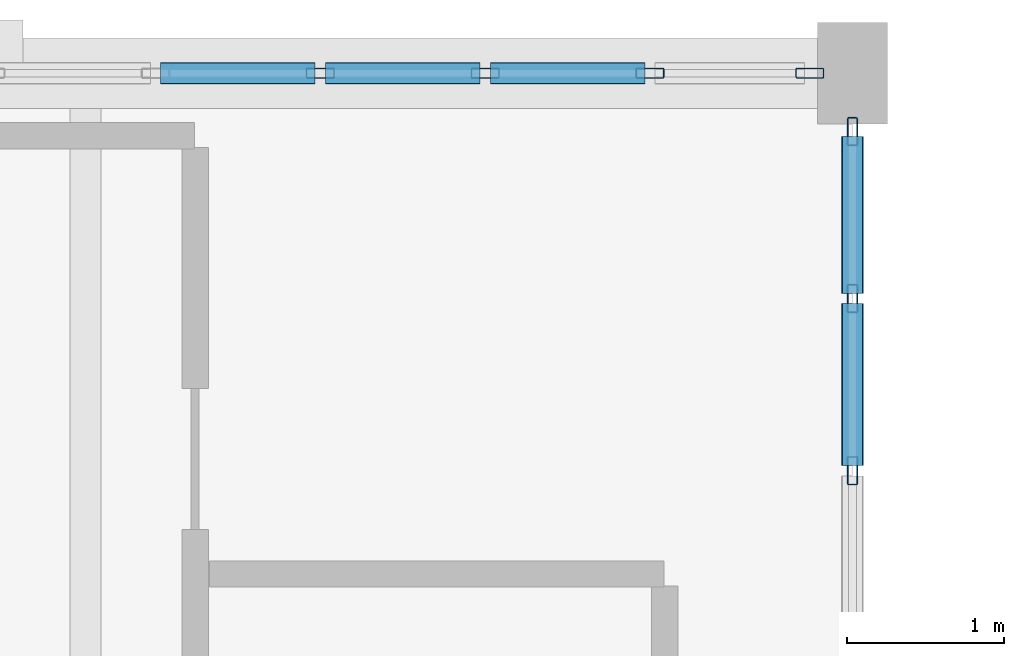
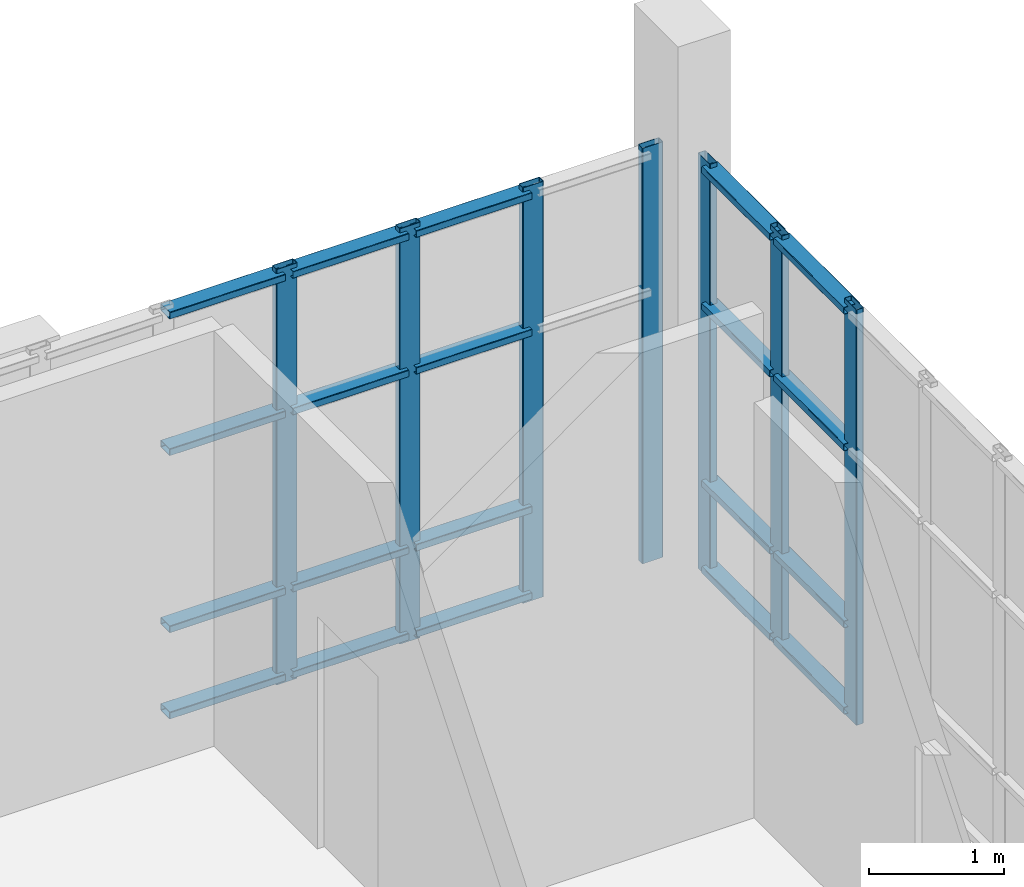
# One storey, part 62 of 106: 27 members, 2 elements without a shape of their own.
"""IFC4 building model written with IfcOpenShell, lengths in metres."""

import ifcopenshell
import ifcopenshell.guid

model = None  # the IFC model being written
_history = None  # IfcOwnerHistory: only IFC2X3 demands one
_inside = {}  # id of a spatial element -> (the spatial element, [elements in it])
_under = {}  # id of a project, library or spatial element -> (it, [spatial elements below it])
_declared = {}  # id of a project -> (the project, [libraries it declares])
_typed = {}  # id of a type object -> (the type object, [elements of that type])
_made_of = {}  # id of a material, layer set ... -> (it, [elements and type objects made of it])


def new_model(schema):
    """Start an empty IFC model of exactly this schema.

    Asked for "IFC4X3", IfcOpenShell would pick the latest addendum, in which some entities
    have other attributes; the version numbers below select the first issue.
    IFC2X3 requires an IfcOwnerHistory on every rooted entity: one is made here for all.
    """
    global model, _history
    if schema == "IFC4X3":
        model = ifcopenshell.file(schema_version=(4, 3, 0, 0))
    else:
        model = ifcopenshell.file(schema=schema)
    _inside.clear()
    _under.clear()
    _declared.clear()
    _typed.clear()
    _made_of.clear()
    _history = None
    if model.schema == "IFC2X3":
        org = make("IfcOrganization", Name="unknown")
        user = make(
            "IfcPersonAndOrganization",
            ThePerson=make("IfcPerson", FamilyName="unknown"),
            TheOrganization=org,
        )
        app = make(
            "IfcApplication",
            ApplicationDeveloper=org,
            Version="unknown",
            ApplicationFullName="unknown",
            ApplicationIdentifier="unknown",
        )
        _history = make(
            "IfcOwnerHistory",
            OwningUser=user,
            OwningApplication=app,
            ChangeAction="ADDED",
            CreationDate=0,
        )
    return model


def make(cls, **values):
    """One entity of the class cls with the attributes given. An attribute that is None is left unset."""
    return model.create_entity(
        cls, **{name: value for name, value in values.items() if value is not None}
    )


def rooted(cls, **values):
    """An entity with a GlobalId (a new one), such as an element, a storey or a relation."""
    return make(cls, GlobalId=ifcopenshell.guid.new(), OwnerHistory=_history, **values)


def si_unit(unit_type, name, prefix=None):
    """IfcSIUnit, for example si_unit("LENGTHUNIT", "METRE", prefix="MILLI")."""
    return make("IfcSIUnit", UnitType=unit_type, Prefix=prefix, Name=name)


def assignment(units):
    """IfcUnitAssignment: the units of a project."""
    return None if units is None else make("IfcUnitAssignment", Units=units)


def point(xyz):
    """IfcCartesianPoint."""
    return None if xyz is None else make("IfcCartesianPoint", Coordinates=xyz)


def direction(xyz):
    """IfcDirection."""
    return None if xyz is None else make("IfcDirection", DirectionRatios=xyz)


def frame(location, z_axis=None, x_axis=None):
    """IfcAxis2Placement3D, a coordinate frame: its origin and axes. An axis left out is left unset."""
    return make(
        "IfcAxis2Placement3D",
        Location=point(location),
        Axis=direction(z_axis),
        RefDirection=direction(x_axis),
    )


def frame_2d(location, x_axis=None):
    """IfcAxis2Placement2D, a coordinate frame in the plane: its origin and x axis."""
    return make(
        "IfcAxis2Placement2D", Location=point(location), RefDirection=direction(x_axis)
    )


def origin():
    """The frame at (0, 0, 0) with its axes left unset."""
    return frame((0.0, 0.0, 0.0))


def origin_2d():
    """The frame at (0, 0) in the plane with its x axis left unset."""
    return frame_2d((0.0, 0.0))


def place(relative_to, where):
    """IfcLocalPlacement: puts the frame where relative to a parent placement (None: the world)."""
    return make(
        "IfcLocalPlacement", PlacementRelTo=relative_to, RelativePlacement=where
    )


def context(
    kind, dimensions, precision=None, world=None, true_north=None, identifier=None
):
    """IfcGeometricRepresentationContext, for example the 3D "Model" context."""
    return make(
        "IfcGeometricRepresentationContext",
        ContextIdentifier=identifier,
        ContextType=kind,
        CoordinateSpaceDimension=dimensions,
        Precision=precision,
        WorldCoordinateSystem=world,
        TrueNorth=true_north,
    )


def subcontext(parent, identifier, kind, view, scale=None):
    """IfcGeometricRepresentationSubContext, for example "Body" below "Model"."""
    return make(
        "IfcGeometricRepresentationSubContext",
        ContextIdentifier=identifier,
        ContextType=kind,
        ParentContext=parent,
        TargetScale=scale,
        TargetView=view,
    )


def project(units=None, contexts=None):
    """IfcProject with its units and contexts."""
    return rooted(
        "IfcProject",
        Name="project",
        RepresentationContexts=contexts,
        UnitsInContext=assignment(units),
    )


def spatial(cls, under=None, at=None, **own):
    """A site, building, storey or space (cls), placed at a placement, below another one or the project."""
    s = rooted(cls, ObjectPlacement=at, **own)
    if under is not None:
        _under.setdefault(under.id(), (under, []))[1].append(s)
    return s


def profile(cls, at=None, kind="AREA", **sizes):
    """A parametric profile (cls). Its sizes go by their IFC names, for example OverallWidth=200.0."""
    return make(cls, ProfileType=kind, Position=at, **sizes)


def hollow_rectangle(**sizes):
    """IfcRectangleHollowProfileDef."""
    return profile("IfcRectangleHollowProfileDef", **sizes)


def extrude(swept, where, along, depth):
    """IfcExtrudedAreaSolid: the profile swept, set in the frame where, extruded along a direction by depth."""
    return make(
        "IfcExtrudedAreaSolid",
        SweptArea=swept,
        Position=where,
        ExtrudedDirection=direction(along),
        Depth=depth,
    )


def shape(context_of_items, identifier, shape_type, items):
    """IfcShapeRepresentation: the items that make up one representation, for example the "Body"."""
    return make(
        "IfcShapeRepresentation",
        ContextOfItems=context_of_items,
        RepresentationIdentifier=identifier,
        RepresentationType=shape_type,
        Items=items,
    )


def material(Name=None, Category=None):
    """IfcMaterial."""
    return make("IfcMaterial", Name=Name, Category=Category)


def layer(
    of_material, thickness, ventilated=None, Name=None, Category=None, Priority=None
):
    """IfcMaterialLayer: one layer of a wall or slab, of a material (None: an air gap)."""
    return make(
        "IfcMaterialLayer",
        Material=of_material,
        LayerThickness=thickness,
        IsVentilated=ventilated,
        Name=Name,
        Category=Category,
        Priority=Priority,
    )


def layer_set(layers, Name=None):
    """IfcMaterialLayerSet."""
    return make("IfcMaterialLayerSet", MaterialLayers=layers, LayerSetName=Name)


def material_profile(
    of_material, cross_section, Name=None, Category=None, Priority=None
):
    """IfcMaterialProfile: a cross section and its material."""
    return make(
        "IfcMaterialProfile",
        Name=Name,
        Material=of_material,
        Profile=cross_section,
        Priority=Priority,
        Category=Category,
    )


def profile_set(profiles, Name=None, composite=None):
    """IfcMaterialProfileSet."""
    return make(
        "IfcMaterialProfileSet",
        Name=Name,
        MaterialProfiles=profiles,
        CompositeProfile=composite,
    )


def made_of(thing, what):
    """Note that an element or type object is made of a material, layer set ...; save() writes the relation."""
    if what is not None:
        _made_of.setdefault(what.id(), (what, []))[1].append(thing)
    return thing


def type_object(cls, material=None, **own):
    """A type object (cls), such as IfcWallType, which elements share."""
    return made_of(rooted(cls, **own), material)


def element(
    cls,
    number,
    at=None,
    inside=None,
    cuts=None,
    type_object=None,
    material=None,
    context=None,
    identifier="Body",
    shape_type=None,
    held_by="IfcProductDefinitionShape",
    body=None,
    shapes=None,
    **own,
):
    """One element of the class cls, such as IfcWall. Its Tag is "e" and its number.

    at: its placement. inside: the storey or other place that contains it. cuts: it is an
    opening in that element (IfcRelVoidsElement). A single representation is given by context,
    identifier, shape_type and body (its items); several are given by shapes. held_by: the class
    of the entity that holds the representations. save() writes the other relations.
    """
    e = rooted(cls, Tag="e%d" % number, ObjectPlacement=at, **own)
    if body is not None:
        shapes = [shape(context, identifier, shape_type, body)]
    if shapes is not None:
        e.Representation = make(held_by, Representations=shapes)
    if inside is not None:
        _inside.setdefault(inside.id(), (inside, []))[1].append(e)
    if cuts is not None:
        rooted(
            "IfcRelVoidsElement", RelatingBuildingElement=cuts, RelatedOpeningElement=e
        )
    if type_object is not None:
        _typed.setdefault(type_object.id(), (type_object, []))[1].append(e)
    return made_of(e, material)


def aggregate(whole, parts):
    """IfcRelAggregates: a whole, such as a stair, and the parts it consists of."""
    return rooted("IfcRelAggregates", RelatingObject=whole, RelatedObjects=parts)


def save(model, path):
    """Write the relations noted so far, then the file.

    IfcRelAggregates (storeys below a building ...), IfcRelContainedInSpatialStructure (elements
    in a storey), IfcRelDefinesByType, IfcRelAssociatesMaterial and IfcRelDeclares: one each for
    every whole, place, type object, material and project.
    """
    for whole, parts in _under.values():
        aggregate(whole, parts)
    for where, things in _inside.values():
        rooted(
            "IfcRelContainedInSpatialStructure",
            RelatedElements=things,
            RelatingStructure=where,
        )
    for kind, things in _typed.values():
        rooted("IfcRelDefinesByType", RelatedObjects=things, RelatingType=kind)
    for what, things in _made_of.values():
        rooted("IfcRelAssociatesMaterial", RelatedObjects=things, RelatingMaterial=what)
    for by, libraries in _declared.values():
        rooted("IfcRelDeclares", RelatingContext=by, RelatedDefinitions=libraries)
    model.write(path)


model = new_model("IFC4")

# Units and contexts
model_context = context("Model", 3, precision=1e-05, world=origin(), true_north=direction((0.0, 1.0)))
body_context = subcontext(model_context, "Body", "Model", "MODEL_VIEW")
ifc_project = project(units=[si_unit("LENGTHUNIT", "METRE"), si_unit("AREAUNIT", "SQUARE_METRE"), si_unit("VOLUMEUNIT", "CUBIC_METRE"), si_unit("PLANEANGLEUNIT", "RADIAN"), si_unit("MASSUNIT", "GRAM", prefix="KILO")], contexts=[model_context])

# Site, building, storey
site_placement = place(None, origin())
site = spatial("IfcSite", under=ifc_project, at=site_placement, CompositionType="ELEMENT")
building_placement = place(site_placement, origin())
building = spatial("IfcBuilding", under=site, at=building_placement, Name="Kisaragi Civic Commons", CompositionType="ELEMENT")
storey_placement = place(building_placement, frame((0.0, 0.0, 4.800048828125)))
storey = spatial("IfcBuildingStorey", under=building, at=storey_placement, Name="L01", CompositionType="ELEMENT", Elevation=4.800048828125)

# Curtain wall, members
ifc_material = material(Name="Thermally broken anodized aluminium and low-E double glazing", Category="aluminium")
ifc_layer = layer(ifc_material, 0.179931640625, Name="Thermally broken anodized aluminium and low-E double glazing", Category="aluminium")
ifc_layer_set = layer_set([ifc_layer], Name="Thermally broken anodized aluminium and low-E double glazing")
curtain_wall_type = type_object("IfcCurtainWallType", Name="CW-01", PredefinedType="NOTDEFINED", material=ifc_layer_set)
curtain_wall_1_placement = place(storey_placement, origin())
curtain_wall_1 = element("IfcCurtainWall", 1, at=curtain_wall_1_placement, inside=storey, type_object=curtain_wall_type, Name="L01 curtain wall CW-01 CW-V4-L01-070", PredefinedType="NOTDEFINED")
ifc_material_profile_1 = material_profile(ifc_material, hollow_rectangle(XDim=0.06494140625, YDim=0.179931640625, WallThickness=0.00439453125, InnerFilletRadius=0.00439453125, OuterFilletRadius=0.009033203125, at=origin_2d()), Name="CWM-65x180x4.5", Category="aluminium")
ifc_profile_set_1 = profile_set([ifc_material_profile_1], Name="Thermally broken anodized aluminium and low-E double glazing")
member_type_1 = type_object("IfcMemberType", Name="CWM-02", PredefinedType="MULLION", material=ifc_profile_set_1)
member_1_placement = place(storey_placement, frame((156.199951171875, 118.800048828125, 0.0), z_axis=(0.0, 0.0, 1.0), x_axis=(0.0, 1.0, 0.0)))
member_1 = element("IfcMember", 2, at=member_1_placement, type_object=member_type_1, Name="CW-01 mullion 4", PredefinedType="MULLION", context=body_context, shape_type="SweptSolid", body=[
    extrude(hollow_rectangle(XDim=0.06494140625, YDim=0.179931640625, WallThickness=0.00439453125, InnerFilletRadius=0.00439453125, OuterFilletRadius=0.009033203125, at=origin_2d()), origin(), (0.0, 0.0, 1.0), 3.7548828125),
])
member_2_placement = place(storey_placement, frame((157.25341796875, 118.800048828125, 0.0), z_axis=(0.0, 0.0, 1.0), x_axis=(0.0, 1.0, 0.0)))
member_2 = element("IfcMember", 3, at=member_2_placement, type_object=member_type_1, Name="CW-01 mullion 5", PredefinedType="MULLION", context=body_context, shape_type="SweptSolid", body=[
    extrude(hollow_rectangle(XDim=0.06494140625, YDim=0.179931640625, WallThickness=0.00439453125, InnerFilletRadius=0.00439453125, OuterFilletRadius=0.009033203125, at=origin_2d()), origin(), (0.0, 0.0, 1.0), 3.7548828125),
])
member_3_placement = place(storey_placement, frame((158.306640625, 118.800048828125, 0.0), z_axis=(0.0, 0.0, 1.0), x_axis=(0.0, 1.0, 0.0)))
member_3 = element("IfcMember", 4, at=member_3_placement, type_object=member_type_1, Name="CW-01 mullion 6", PredefinedType="MULLION", context=body_context, shape_type="SweptSolid", body=[
    extrude(hollow_rectangle(XDim=0.06494140625, YDim=0.179931640625, WallThickness=0.00439453125, InnerFilletRadius=0.00439453125, OuterFilletRadius=0.009033203125, at=origin_2d()), origin(), (0.0, 0.0, 1.0), 3.7548828125),
])
member_4_placement = place(storey_placement, frame((159.327392578125, 118.800048828125, 0.0), z_axis=(0.0, 0.0, 1.0), x_axis=(0.0, 1.0, 0.0)))
member_4 = element("IfcMember", 5, at=member_4_placement, type_object=member_type_1, Name="CW-01 mullion 7", PredefinedType="MULLION", context=body_context, shape_type="SweptSolid", body=[
    extrude(hollow_rectangle(XDim=0.06494140625, YDim=0.179931640625, WallThickness=0.00439453125, InnerFilletRadius=0.00439453125, OuterFilletRadius=0.009033203125, at=origin_2d()), origin(), (0.0, 0.0, 1.0), 3.7548828125),
])

curtain_wall_2_placement = place(storey_placement, origin())
curtain_wall_2 = element("IfcCurtainWall", 6, at=curtain_wall_2_placement, inside=storey, type_object=curtain_wall_type, Name="L01 curtain wall CW-01 CW-V4-L01-071", PredefinedType="NOTDEFINED")
member_5_placement = place(storey_placement, frame((159.60009765625, 118.427490234375, 0.0), z_axis=(0.0, 0.0, 1.0), x_axis=(1.0, 0.0, 0.0)))
member_5 = element("IfcMember", 7, at=member_5_placement, type_object=member_type_1, Name="CW-01 mullion 1", PredefinedType="MULLION", context=body_context, shape_type="SweptSolid", body=[
    extrude(hollow_rectangle(XDim=0.06494140625, YDim=0.179931640625, WallThickness=0.00439453125, InnerFilletRadius=0.00439453125, OuterFilletRadius=0.009033203125, at=origin_2d()), origin(), (0.0, 0.0, 1.0), 3.7548828125),
])
member_6_placement = place(storey_placement, frame((159.60009765625, 117.360107421875, 0.0), z_axis=(0.0, 0.0, 1.0), x_axis=(1.0, 0.0, 0.0)))
member_6 = element("IfcMember", 8, at=member_6_placement, type_object=member_type_1, Name="CW-01 mullion 2", PredefinedType="MULLION", context=body_context, shape_type="SweptSolid", body=[
    extrude(hollow_rectangle(XDim=0.06494140625, YDim=0.179931640625, WallThickness=0.00439453125, InnerFilletRadius=0.00439453125, OuterFilletRadius=0.009033203125, at=origin_2d()), origin(), (0.0, 0.0, 1.0), 3.7548828125),
])
member_7_placement = place(storey_placement, frame((159.60009765625, 116.260009765625, 0.0), z_axis=(0.0, 0.0, 1.0), x_axis=(1.0, 0.0, 0.0)))
member_7 = element("IfcMember", 9, at=member_7_placement, type_object=member_type_1, Name="CW-01 mullion 3", PredefinedType="MULLION", context=body_context, shape_type="SweptSolid", body=[
    extrude(hollow_rectangle(XDim=0.06494140625, YDim=0.179931640625, WallThickness=0.00439453125, InnerFilletRadius=0.00439453125, OuterFilletRadius=0.009033203125, at=origin_2d()), origin(), (0.0, 0.0, 1.0), 3.7548828125),
])

# Member
ifc_material_profile_2 = material_profile(ifc_material, hollow_rectangle(XDim=0.139892578125, YDim=0.06494140625, WallThickness=0.00439453125, InnerFilletRadius=0.00439453125, OuterFilletRadius=0.009033203125, at=origin_2d()), Name="CWT-65x140x4.5", Category="aluminium")
ifc_profile_set_2 = profile_set([ifc_material_profile_2], Name="Thermally broken anodized aluminium and low-E double glazing")
member_type_2 = type_object("IfcMemberType", Name="CWT-02", PredefinedType="USERDEFINED", material=ifc_profile_set_2)
member_8_placement = place(storey_placement, frame((155.17919921875, 118.800048828125, 0.070068359375), z_axis=(1.0, 0.0, 0.0), x_axis=(0.0, 1.0, 0.0)))
member_8 = element("IfcMember", 10, at=member_8_placement, type_object=member_type_2, Name="CW-01 transom 3.1", ObjectType="TRANSOM", PredefinedType="USERDEFINED", context=body_context, shape_type="SweptSolid", body=[
    extrude(hollow_rectangle(XDim=0.139892578125, YDim=0.06494140625, WallThickness=0.00439453125, InnerFilletRadius=0.00439453125, OuterFilletRadius=0.009033203125, at=origin_2d()), origin(), (0.0, 0.0, 1.0), 0.98828125),
])

member_9_placement = place(storey_placement, frame((155.17919921875, 118.800048828125, 0.849853515625), z_axis=(1.0, 0.0, 0.0), x_axis=(0.0, 1.0, 0.0)))
member_9 = element("IfcMember", 11, at=member_9_placement, type_object=member_type_2, Name="CW-01 transom 3.2", ObjectType="TRANSOM", PredefinedType="USERDEFINED", context=body_context, shape_type="SweptSolid", body=[
    extrude(hollow_rectangle(XDim=0.139892578125, YDim=0.06494140625, WallThickness=0.00439453125, InnerFilletRadius=0.00439453125, OuterFilletRadius=0.009033203125, at=origin_2d()), origin(), (0.0, 0.0, 1.0), 0.98828125),
])

member_10_placement = place(storey_placement, frame((155.17919921875, 118.800048828125, 2.449951171875), z_axis=(1.0, 0.0, 0.0), x_axis=(0.0, 1.0, 0.0)))
member_10 = element("IfcMember", 12, at=member_10_placement, type_object=member_type_2, Name="CW-01 transom 3.3", ObjectType="TRANSOM", PredefinedType="USERDEFINED", context=body_context, shape_type="SweptSolid", body=[
    extrude(hollow_rectangle(XDim=0.139892578125, YDim=0.06494140625, WallThickness=0.00439453125, InnerFilletRadius=0.00439453125, OuterFilletRadius=0.009033203125, at=origin_2d()), origin(), (0.0, 0.0, 1.0), 0.98828125),
])

member_11_placement = place(storey_placement, frame((155.17919921875, 118.800048828125, 3.68505859375), z_axis=(1.0, 0.0, 0.0), x_axis=(0.0, 1.0, 0.0)))
member_11 = element("IfcMember", 13, at=member_11_placement, type_object=member_type_2, Name="CW-01 transom 3.4", ObjectType="TRANSOM", PredefinedType="USERDEFINED", context=body_context, shape_type="SweptSolid", body=[
    extrude(hollow_rectangle(XDim=0.139892578125, YDim=0.06494140625, WallThickness=0.00439453125, InnerFilletRadius=0.00439453125, OuterFilletRadius=0.009033203125, at=origin_2d()), origin(), (0.0, 0.0, 1.0), 0.98828125),
])

member_12_placement = place(storey_placement, frame((156.232421875, 118.800048828125, 0.070068359375), z_axis=(1.0, 0.0, 0.0), x_axis=(0.0, 1.0, 0.0)))
member_12 = element("IfcMember", 14, at=member_12_placement, type_object=member_type_2, Name="CW-01 transom 4.1", ObjectType="TRANSOM", PredefinedType="USERDEFINED", context=body_context, shape_type="SweptSolid", body=[
    extrude(hollow_rectangle(XDim=0.139892578125, YDim=0.06494140625, WallThickness=0.00439453125, InnerFilletRadius=0.00439453125, OuterFilletRadius=0.009033203125, at=origin_2d()), origin(), (0.0, 0.0, 1.0), 0.988525390625),
])

member_13_placement = place(storey_placement, frame((156.232421875, 118.800048828125, 0.849853515625), z_axis=(1.0, 0.0, 0.0), x_axis=(0.0, 1.0, 0.0)))
member_13 = element("IfcMember", 15, at=member_13_placement, type_object=member_type_2, Name="CW-01 transom 4.2", ObjectType="TRANSOM", PredefinedType="USERDEFINED", context=body_context, shape_type="SweptSolid", body=[
    extrude(hollow_rectangle(XDim=0.139892578125, YDim=0.06494140625, WallThickness=0.00439453125, InnerFilletRadius=0.00439453125, OuterFilletRadius=0.009033203125, at=origin_2d()), origin(), (0.0, 0.0, 1.0), 0.988525390625),
])

member_14_placement = place(storey_placement, frame((156.232421875, 118.800048828125, 2.449951171875), z_axis=(1.0, 0.0, 0.0), x_axis=(0.0, 1.0, 0.0)))
member_14 = element("IfcMember", 16, at=member_14_placement, type_object=member_type_2, Name="CW-01 transom 4.3", ObjectType="TRANSOM", PredefinedType="USERDEFINED", context=body_context, shape_type="SweptSolid", body=[
    extrude(hollow_rectangle(XDim=0.139892578125, YDim=0.06494140625, WallThickness=0.00439453125, InnerFilletRadius=0.00439453125, OuterFilletRadius=0.009033203125, at=origin_2d()), origin(), (0.0, 0.0, 1.0), 0.988525390625),
])

member_15_placement = place(storey_placement, frame((156.232421875, 118.800048828125, 3.68505859375), z_axis=(1.0, 0.0, 0.0), x_axis=(0.0, 1.0, 0.0)))
member_15 = element("IfcMember", 17, at=member_15_placement, type_object=member_type_2, Name="CW-01 transom 4.4", ObjectType="TRANSOM", PredefinedType="USERDEFINED", context=body_context, shape_type="SweptSolid", body=[
    extrude(hollow_rectangle(XDim=0.139892578125, YDim=0.06494140625, WallThickness=0.00439453125, InnerFilletRadius=0.00439453125, OuterFilletRadius=0.009033203125, at=origin_2d()), origin(), (0.0, 0.0, 1.0), 0.988525390625),
])

member_16_placement = place(storey_placement, frame((157.285888671875, 118.800048828125, 0.070068359375), z_axis=(1.0, 0.0, 0.0), x_axis=(0.0, 1.0, 0.0)))
member_16 = element("IfcMember", 18, at=member_16_placement, type_object=member_type_2, Name="CW-01 transom 5.1", ObjectType="TRANSOM", PredefinedType="USERDEFINED", context=body_context, shape_type="SweptSolid", body=[
    extrude(hollow_rectangle(XDim=0.139892578125, YDim=0.06494140625, WallThickness=0.00439453125, InnerFilletRadius=0.00439453125, OuterFilletRadius=0.009033203125, at=origin_2d()), origin(), (0.0, 0.0, 1.0), 0.98828125),
])

member_17_placement = place(storey_placement, frame((157.285888671875, 118.800048828125, 0.849853515625), z_axis=(1.0, 0.0, 0.0), x_axis=(0.0, 1.0, 0.0)))
member_17 = element("IfcMember", 19, at=member_17_placement, type_object=member_type_2, Name="CW-01 transom 5.2", ObjectType="TRANSOM", PredefinedType="USERDEFINED", context=body_context, shape_type="SweptSolid", body=[
    extrude(hollow_rectangle(XDim=0.139892578125, YDim=0.06494140625, WallThickness=0.00439453125, InnerFilletRadius=0.00439453125, OuterFilletRadius=0.009033203125, at=origin_2d()), origin(), (0.0, 0.0, 1.0), 0.98828125),
])

member_18_placement = place(storey_placement, frame((157.285888671875, 118.800048828125, 2.449951171875), z_axis=(1.0, 0.0, 0.0), x_axis=(0.0, 1.0, 0.0)))
member_18 = element("IfcMember", 20, at=member_18_placement, type_object=member_type_2, Name="CW-01 transom 5.3", ObjectType="TRANSOM", PredefinedType="USERDEFINED", context=body_context, shape_type="SweptSolid", body=[
    extrude(hollow_rectangle(XDim=0.139892578125, YDim=0.06494140625, WallThickness=0.00439453125, InnerFilletRadius=0.00439453125, OuterFilletRadius=0.009033203125, at=origin_2d()), origin(), (0.0, 0.0, 1.0), 0.98828125),
])

member_19_placement = place(storey_placement, frame((157.285888671875, 118.800048828125, 3.68505859375), z_axis=(1.0, 0.0, 0.0), x_axis=(0.0, 1.0, 0.0)))
member_19 = element("IfcMember", 21, at=member_19_placement, type_object=member_type_2, Name="CW-01 transom 5.4", ObjectType="TRANSOM", PredefinedType="USERDEFINED", context=body_context, shape_type="SweptSolid", body=[
    extrude(hollow_rectangle(XDim=0.139892578125, YDim=0.06494140625, WallThickness=0.00439453125, InnerFilletRadius=0.00439453125, OuterFilletRadius=0.009033203125, at=origin_2d()), origin(), (0.0, 0.0, 1.0), 0.98828125),
])

aggregate(curtain_wall_1, [member_1, member_2, member_3, member_4, member_8, member_9, member_10, member_11, member_12, member_13, member_14, member_15, member_16, member_17, member_18, member_19])

member_20_placement = place(storey_placement, frame((159.60009765625, 118.39501953125, 0.070068359375), z_axis=(0.0, -1.0, 0.0), x_axis=(1.0, 0.0, 0.0)))
member_20 = element("IfcMember", 22, at=member_20_placement, type_object=member_type_2, Name="CW-01 transom 1.1", ObjectType="TRANSOM", PredefinedType="USERDEFINED", context=body_context, shape_type="SweptSolid", body=[
    extrude(hollow_rectangle(XDim=0.139892578125, YDim=0.06494140625, WallThickness=0.00439453125, InnerFilletRadius=0.00439453125, OuterFilletRadius=0.009033203125, at=origin_2d()), origin(), (0.0, 0.0, 1.0), 1.00244140625),
])

member_21_placement = place(storey_placement, frame((159.60009765625, 118.39501953125, 0.849853515625), z_axis=(0.0, -1.0, 0.0), x_axis=(1.0, 0.0, 0.0)))
member_21 = element("IfcMember", 23, at=member_21_placement, type_object=member_type_2, Name="CW-01 transom 1.2", ObjectType="TRANSOM", PredefinedType="USERDEFINED", context=body_context, shape_type="SweptSolid", body=[
    extrude(hollow_rectangle(XDim=0.139892578125, YDim=0.06494140625, WallThickness=0.00439453125, InnerFilletRadius=0.00439453125, OuterFilletRadius=0.009033203125, at=origin_2d()), origin(), (0.0, 0.0, 1.0), 1.00244140625),
])

member_22_placement = place(storey_placement, frame((159.60009765625, 118.39501953125, 2.449951171875), z_axis=(0.0, -1.0, 0.0), x_axis=(1.0, 0.0, 0.0)))
member_22 = element("IfcMember", 24, at=member_22_placement, type_object=member_type_2, Name="CW-01 transom 1.3", ObjectType="TRANSOM", PredefinedType="USERDEFINED", context=body_context, shape_type="SweptSolid", body=[
    extrude(hollow_rectangle(XDim=0.139892578125, YDim=0.06494140625, WallThickness=0.00439453125, InnerFilletRadius=0.00439453125, OuterFilletRadius=0.009033203125, at=origin_2d()), origin(), (0.0, 0.0, 1.0), 1.00244140625),
])

member_23_placement = place(storey_placement, frame((159.60009765625, 118.39501953125, 3.68505859375), z_axis=(0.0, -1.0, 0.0), x_axis=(1.0, 0.0, 0.0)))
member_23 = element("IfcMember", 25, at=member_23_placement, type_object=member_type_2, Name="CW-01 transom 1.4", ObjectType="TRANSOM", PredefinedType="USERDEFINED", context=body_context, shape_type="SweptSolid", body=[
    extrude(hollow_rectangle(XDim=0.139892578125, YDim=0.06494140625, WallThickness=0.00439453125, InnerFilletRadius=0.00439453125, OuterFilletRadius=0.009033203125, at=origin_2d()), origin(), (0.0, 0.0, 1.0), 1.00244140625),
])

member_24_placement = place(storey_placement, frame((159.60009765625, 117.327392578125, 0.070068359375), z_axis=(0.0, -1.0, 0.0), x_axis=(1.0, 0.0, 0.0)))
member_24 = element("IfcMember", 26, at=member_24_placement, type_object=member_type_2, Name="CW-01 transom 2.1", ObjectType="TRANSOM", PredefinedType="USERDEFINED", context=body_context, shape_type="SweptSolid", body=[
    extrude(hollow_rectangle(XDim=0.139892578125, YDim=0.06494140625, WallThickness=0.00439453125, InnerFilletRadius=0.00439453125, OuterFilletRadius=0.009033203125, at=origin_2d()), origin(), (0.0, 0.0, 1.0), 1.034912109375),
])

member_25_placement = place(storey_placement, frame((159.60009765625, 117.327392578125, 0.849853515625), z_axis=(0.0, -1.0, 0.0), x_axis=(1.0, 0.0, 0.0)))
member_25 = element("IfcMember", 27, at=member_25_placement, type_object=member_type_2, Name="CW-01 transom 2.2", ObjectType="TRANSOM", PredefinedType="USERDEFINED", context=body_context, shape_type="SweptSolid", body=[
    extrude(hollow_rectangle(XDim=0.139892578125, YDim=0.06494140625, WallThickness=0.00439453125, InnerFilletRadius=0.00439453125, OuterFilletRadius=0.009033203125, at=origin_2d()), origin(), (0.0, 0.0, 1.0), 1.034912109375),
])

member_26_placement = place(storey_placement, frame((159.60009765625, 117.327392578125, 2.449951171875), z_axis=(0.0, -1.0, 0.0), x_axis=(1.0, 0.0, 0.0)))
member_26 = element("IfcMember", 28, at=member_26_placement, type_object=member_type_2, Name="CW-01 transom 2.3", ObjectType="TRANSOM", PredefinedType="USERDEFINED", context=body_context, shape_type="SweptSolid", body=[
    extrude(hollow_rectangle(XDim=0.139892578125, YDim=0.06494140625, WallThickness=0.00439453125, InnerFilletRadius=0.00439453125, OuterFilletRadius=0.009033203125, at=origin_2d()), origin(), (0.0, 0.0, 1.0), 1.034912109375),
])

member_27_placement = place(storey_placement, frame((159.60009765625, 117.327392578125, 3.68505859375), z_axis=(0.0, -1.0, 0.0), x_axis=(1.0, 0.0, 0.0)))
member_27 = element("IfcMember", 29, at=member_27_placement, type_object=member_type_2, Name="CW-01 transom 2.4", ObjectType="TRANSOM", PredefinedType="USERDEFINED", context=body_context, shape_type="SweptSolid", body=[
    extrude(hollow_rectangle(XDim=0.139892578125, YDim=0.06494140625, WallThickness=0.00439453125, InnerFilletRadius=0.00439453125, OuterFilletRadius=0.009033203125, at=origin_2d()), origin(), (0.0, 0.0, 1.0), 1.034912109375),
])

aggregate(curtain_wall_2, [member_5, member_6, member_7, member_20, member_21, member_22, member_23, member_24, member_25, member_26, member_27])

save(model, "model.ifc")
